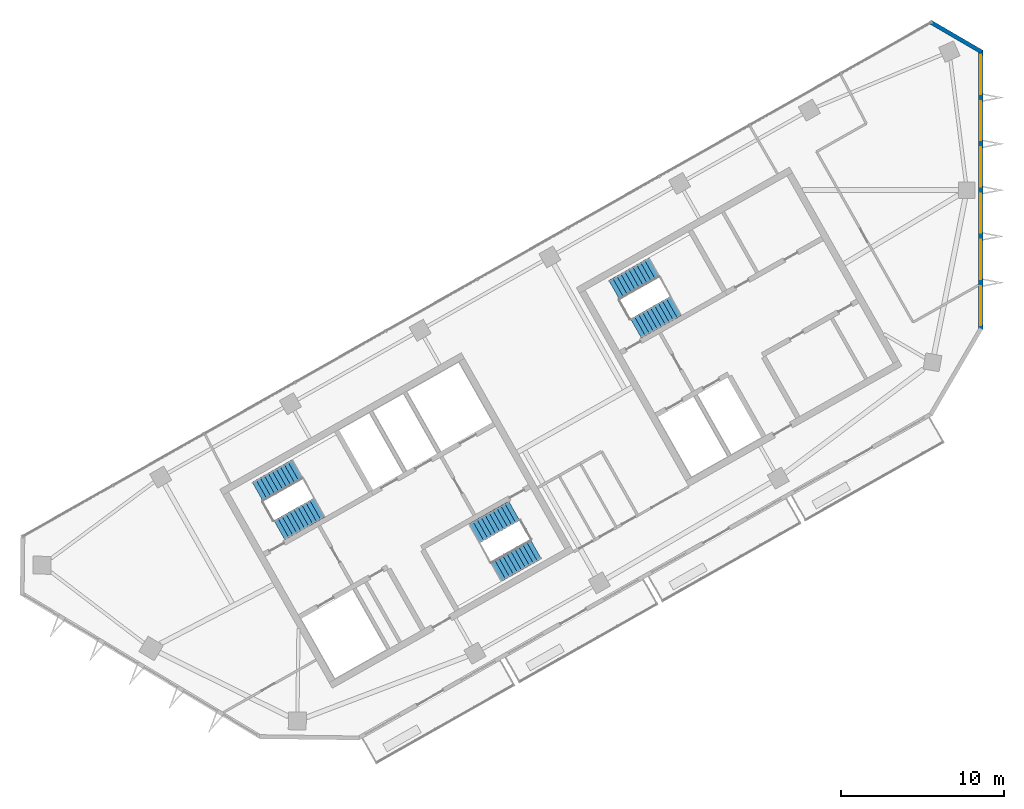
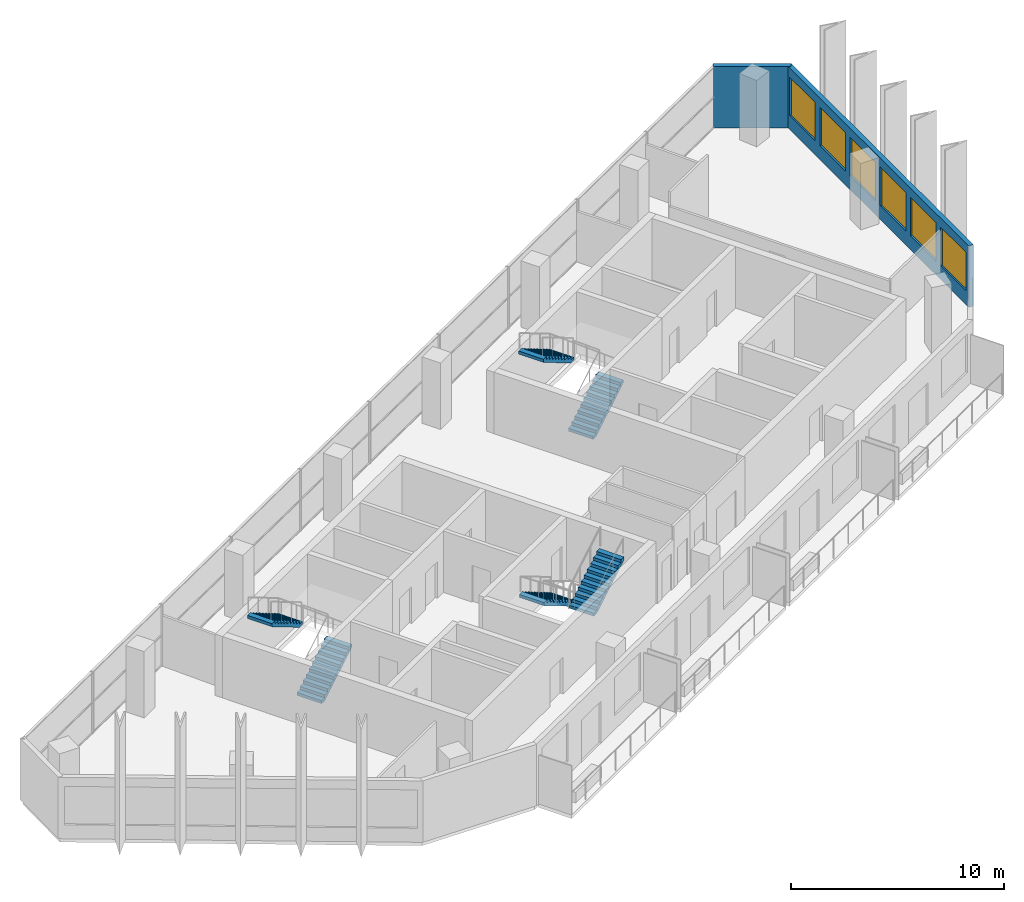
# One storey, part 8 of 10: 6 stair flights, 6 windows, 2 walls, 6 openings, 3 elements without a shape of their own.
"""IFC4 building model written with IfcOpenShell, lengths in metres."""

from ifc_helpers import new_model, si_unit, direction, frame, frame_2d, origin, place, context, subcontext, project, spatial, polyline, rectangle, outline, extrude, material, layer, layer_set, type_object, element, fill, aggregate, save


model = new_model("IFC4")

# Units and contexts
model_context = context("Model", 3, precision=1e-05, world=origin(), true_north=direction((0.0, 1.0)))
body_context = subcontext(model_context, "Body", "Model", "MODEL_VIEW")
ifc_project = project(units=[si_unit("LENGTHUNIT", "METRE"), si_unit("AREAUNIT", "SQUARE_METRE"), si_unit("VOLUMEUNIT", "CUBIC_METRE"), si_unit("PLANEANGLEUNIT", "RADIAN"), si_unit("MASSUNIT", "GRAM", prefix="KILO")], contexts=[model_context])

# Site, building, storey
site_placement = place(None, origin())
site = spatial("IfcSite", under=ifc_project, at=site_placement, CompositionType="ELEMENT")
building_placement = place(site_placement, origin())
building = spatial("IfcBuilding", under=site, at=building_placement, Name="Binnacle Exchange Tower", CompositionType="ELEMENT")
storey_placement = place(building_placement, frame((0.0, 0.0, 324.10009765625)))
storey = spatial("IfcBuildingStorey", under=building, at=storey_placement, Name="L73", CompositionType="ELEMENT", Elevation=324.10009765625)

# Wall, openings, windows
ifc_material_1 = material(Name="Bronze aluminium cladding", Category="aluminium")
ifc_layer = layer(ifc_material_1, 0.25)
ifc_layer_set = layer_set([ifc_layer], Name="External wall - window wall 250")
wall_type = type_object("IfcWallType", Name="External wall - window wall 250", PredefinedType="STANDARD", material=ifc_layer_set)
wall_1_placement = place(storey_placement, frame((0.0, 68.57177734375, 0.0), z_axis=(0.0, 0.0, 1.0), x_axis=(0.0, -1.0, 0.0)))
wall_1 = element("IfcWall", 1, at=wall_1_placement, inside=storey, type_object=wall_type, Name="External wall EW-H01 L73", PredefinedType="STANDARD", context=body_context, shape_type="SweptSolid", body=[
    extrude(rectangle(XDim=17.10546875, YDim=0.25, at=frame_2d((8.552734375, 0.0))), origin(), (0.0, 0.0, 1.0), 3.52001953125),
])
opening_1_placement = place(wall_1_placement, frame((14.455078125, 0.0, 0.800048828125)))
opening_1 = element("IfcOpeningElement", 2, at=opening_1_placement, cuts=wall_1, Name="Opening WR2", PredefinedType="OPENING", context=body_context, shape_type="SweptSolid", body=[
    extrude(rectangle(XDim=2.39990234375, YDim=2.199951171875, at=frame_2d((1.199951171875, 1.10009765625))), frame((0.0, 0.135009765625, 0.0), z_axis=(0.0, -1.0, 0.0), x_axis=(1.0, 0.0, 0.0)), (0.0, 0.0, 1.0), 0.27001953125),
])
opening_2_placement = place(wall_1_placement, frame((11.621826171875, 0.0, 0.800048828125)))
opening_2 = element("IfcOpeningElement", 3, at=opening_2_placement, cuts=wall_1, Name="Opening WR2", PredefinedType="OPENING", context=body_context, shape_type="SweptSolid", body=[
    extrude(rectangle(XDim=2.39990234375, YDim=2.199951171875, at=frame_2d((1.199951171875, 1.10009765625))), frame((0.0, 0.135009765625, 0.0), z_axis=(0.0, -1.0, 0.0), x_axis=(1.0, 0.0, 0.0)), (0.0, 0.0, 1.0), 0.27001953125),
])
opening_3_placement = place(wall_1_placement, frame((8.78857421875, 0.0, 0.800048828125)))
opening_3 = element("IfcOpeningElement", 4, at=opening_3_placement, cuts=wall_1, Name="Opening WR2", PredefinedType="OPENING", context=body_context, shape_type="SweptSolid", body=[
    extrude(rectangle(XDim=2.39990234375, YDim=2.199951171875, at=frame_2d((1.199951171875, 1.10009765625))), frame((0.0, 0.135009765625, 0.0), z_axis=(0.0, -1.0, 0.0), x_axis=(1.0, 0.0, 0.0)), (0.0, 0.0, 1.0), 0.27001953125),
])
opening_4_placement = place(wall_1_placement, frame((5.955078125, 0.0, 0.800048828125)))
opening_4 = element("IfcOpeningElement", 5, at=opening_4_placement, cuts=wall_1, Name="Opening WR2", PredefinedType="OPENING", context=body_context, shape_type="SweptSolid", body=[
    extrude(rectangle(XDim=2.39990234375, YDim=2.199951171875, at=frame_2d((1.199951171875, 1.10009765625))), frame((0.0, 0.135009765625, 0.0), z_axis=(0.0, -1.0, 0.0), x_axis=(1.0, 0.0, 0.0)), (0.0, 0.0, 1.0), 0.27001953125),
])
opening_5_placement = place(wall_1_placement, frame((3.121826171875, 0.0, 0.800048828125)))
opening_5 = element("IfcOpeningElement", 6, at=opening_5_placement, cuts=wall_1, Name="Opening WR2", PredefinedType="OPENING", context=body_context, shape_type="SweptSolid", body=[
    extrude(rectangle(XDim=2.39990234375, YDim=2.199951171875, at=frame_2d((1.199951171875, 1.10009765625))), frame((0.0, 0.135009765625, 0.0), z_axis=(0.0, -1.0, 0.0), x_axis=(1.0, 0.0, 0.0)), (0.0, 0.0, 1.0), 0.27001953125),
])
opening_6_placement = place(wall_1_placement, frame((0.28857421875, 0.0, 0.800048828125)))
opening_6 = element("IfcOpeningElement", 7, at=opening_6_placement, cuts=wall_1, Name="Opening WR2", PredefinedType="OPENING", context=body_context, shape_type="SweptSolid", body=[
    extrude(rectangle(XDim=2.39990234375, YDim=2.199951171875, at=frame_2d((1.199951171875, 1.10009765625))), frame((0.0, 0.135009765625, 0.0), z_axis=(0.0, -1.0, 0.0), x_axis=(1.0, 0.0, 0.0)), (0.0, 0.0, 1.0), 0.27001953125),
])
ifc_material_2 = material(Name="Bronze anodised aluminium frame", Category="aluminium")
window_type = type_object("IfcWindowType", Name="WR2 WINDOW 2400x2200", PartitioningType="SINGLE_PANEL", PredefinedType="WINDOW", material=ifc_material_2)
window_1_placement = place(opening_1_placement, origin())
window_1 = element("IfcWindow", 8, at=window_1_placement, inside=storey, type_object=window_type, Name="Window WR2 L73", OverallHeight=2.199951171875, OverallWidth=2.39990234375, PartitioningType="SINGLE_PANEL", PredefinedType="WINDOW", context=body_context, shape_type="SweptSolid", body=[
    extrude(rectangle(XDim=2.39990234375, YDim=2.199951171875, at=frame_2d((1.199951171875, 1.10009765625))), frame((0.0, 0.030029296875, 0.0), z_axis=(0.0, -1.0, 0.0), x_axis=(1.0, 0.0, 0.0)), (0.0, 0.0, 1.0), 0.06005859375),
])
fill(opening_1, window_1)
window_2_placement = place(opening_2_placement, origin())
window_2 = element("IfcWindow", 9, at=window_2_placement, inside=storey, type_object=window_type, Name="Window WR2 L73", OverallHeight=2.199951171875, OverallWidth=2.39990234375, PartitioningType="SINGLE_PANEL", PredefinedType="WINDOW", context=body_context, shape_type="SweptSolid", body=[
    extrude(rectangle(XDim=2.39990234375, YDim=2.199951171875, at=frame_2d((1.199951171875, 1.10009765625))), frame((0.0, 0.030029296875, 0.0), z_axis=(0.0, -1.0, 0.0), x_axis=(1.0, 0.0, 0.0)), (0.0, 0.0, 1.0), 0.06005859375),
])
fill(opening_2, window_2)
window_3_placement = place(opening_3_placement, origin())
window_3 = element("IfcWindow", 10, at=window_3_placement, inside=storey, type_object=window_type, Name="Window WR2 L73", OverallHeight=2.199951171875, OverallWidth=2.39990234375, PartitioningType="SINGLE_PANEL", PredefinedType="WINDOW", context=body_context, shape_type="SweptSolid", body=[
    extrude(rectangle(XDim=2.39990234375, YDim=2.199951171875, at=frame_2d((1.199951171875, 1.10009765625))), frame((0.0, 0.030029296875, 0.0), z_axis=(0.0, -1.0, 0.0), x_axis=(1.0, 0.0, 0.0)), (0.0, 0.0, 1.0), 0.06005859375),
])
fill(opening_3, window_3)
window_4_placement = place(opening_4_placement, origin())
window_4 = element("IfcWindow", 11, at=window_4_placement, inside=storey, type_object=window_type, Name="Window WR2 L73", OverallHeight=2.199951171875, OverallWidth=2.39990234375, PartitioningType="SINGLE_PANEL", PredefinedType="WINDOW", context=body_context, shape_type="SweptSolid", body=[
    extrude(rectangle(XDim=2.39990234375, YDim=2.199951171875, at=frame_2d((1.199951171875, 1.10009765625))), frame((0.0, 0.030029296875, 0.0), z_axis=(0.0, -1.0, 0.0), x_axis=(1.0, 0.0, 0.0)), (0.0, 0.0, 1.0), 0.06005859375),
])
fill(opening_4, window_4)
window_5_placement = place(opening_5_placement, origin())
window_5 = element("IfcWindow", 12, at=window_5_placement, inside=storey, type_object=window_type, Name="Window WR2 L73", OverallHeight=2.199951171875, OverallWidth=2.39990234375, PartitioningType="SINGLE_PANEL", PredefinedType="WINDOW", context=body_context, shape_type="SweptSolid", body=[
    extrude(rectangle(XDim=2.39990234375, YDim=2.199951171875, at=frame_2d((1.199951171875, 1.10009765625))), frame((0.0, 0.030029296875, 0.0), z_axis=(0.0, -1.0, 0.0), x_axis=(1.0, 0.0, 0.0)), (0.0, 0.0, 1.0), 0.06005859375),
])
fill(opening_5, window_5)
window_6_placement = place(opening_6_placement, origin())
window_6 = element("IfcWindow", 13, at=window_6_placement, inside=storey, type_object=window_type, Name="Window WR2 L73", OverallHeight=2.199951171875, OverallWidth=2.39990234375, PartitioningType="SINGLE_PANEL", PredefinedType="WINDOW", context=body_context, shape_type="SweptSolid", body=[
    extrude(rectangle(XDim=2.39990234375, YDim=2.199951171875, at=frame_2d((1.199951171875, 1.10009765625))), frame((0.0, 0.030029296875, 0.0), z_axis=(0.0, -1.0, 0.0), x_axis=(1.0, 0.0, 0.0)), (0.0, 0.0, 1.0), 0.06005859375),
])
fill(opening_6, window_6)

# Wall
wall_2_placement = place(storey_placement, frame((-3.108154296875, 70.312744140625, 0.0), z_axis=(0.0, 0.0, 1.0), x_axis=(0.86382474085, -0.503792434536, 0.0)))
element("IfcWall", 14, at=wall_2_placement, inside=storey, type_object=wall_type, Name="External wall EW-H02 L73", PredefinedType="STANDARD", context=body_context, shape_type="SweptSolid", body=[
    extrude(rectangle(XDim=3.669921875, YDim=0.25, at=frame_2d((1.8349609375, 0.0))), origin(), (0.0, 0.0, 1.0), 3.52001953125),
])

# Stair, stair flights
ifc_material_3 = material(Name="Concrete C35/45", Category="concrete")
stair_type = type_object("IfcStairType", Name="STAIR 22 RISERS 173", PredefinedType="HALF_TURN_STAIR", material=ifc_material_3)
stair_1_placement = place(storey_placement, origin())
stair_1 = element("IfcStair", 15, at=stair_1_placement, inside=storey, type_object=stair_type, Name="L73 Escape stair A1", PredefinedType="HALF_TURN_STAIR")
stair_flight_type = type_object("IfcStairFlightType", Name="STAIR FLIGHT 173X280", PredefinedType="STRAIGHT", material=ifc_material_3)
stair_flight_1_placement = place(storey_placement, frame((-42.9541015625, 39.17333984375, 0.0), z_axis=(0.0, 0.0, 1.0), x_axis=(0.870355584213, 0.492423757581, 0.0)))
stair_flight_1 = element("IfcStairFlight", 16, at=stair_flight_1_placement, type_object=stair_flight_type, Name="STA1 flight 1", NumberOfRisers=11, NumberOfTreads=10, PredefinedType="STRAIGHT", RiserHeight=0.172727273, TreadLength=0.28, context=body_context, shape_type="SweptSolid", body=[
    extrude(outline(polyline([(0.0, 0.0), (0.0, 0.172607421875), (0.280029296875, 0.172607421875), (0.280029296875, 0.345458984375), (0.56005859375, 0.345458984375), (0.56005859375, 0.51806640625), (0.840087890625, 0.51806640625), (0.840087890625, 0.69091796875), (1.1201171875, 0.69091796875), (1.1201171875, 0.863525390625), (1.39990234375, 0.863525390625), (1.39990234375, 1.036376953125), (1.679931640625, 1.036376953125), (1.679931640625, 1.208984375), (1.9599609375, 1.208984375), (1.9599609375, 1.3818359375), (2.239990234375, 1.3818359375), (2.239990234375, 1.554443359375), (2.52001953125, 1.554443359375), (2.52001953125, 1.727294921875), (2.800048828125, 1.727294921875), (2.800048828125, 1.89990234375), (2.800048828125, 1.551025390625), (0.285400390625, 0.0), (0.0, 0.0)])), frame((0.0, 0.675048828125, 0.0), z_axis=(0.0, -1.0, 0.0), x_axis=(1.0, 0.0, 0.0)), (0.0, 0.0, 1.0), 1.35009765625),
])
stair_flight_2_placement = place(storey_placement, frame((-41.846435546875, 42.902099609375, 1.89990234375), z_axis=(0.0, 0.0, 1.0), x_axis=(-0.870355584213, -0.492423757581, 0.0)))
stair_flight_2 = element("IfcStairFlight", 17, at=stair_flight_2_placement, type_object=stair_flight_type, Name="STA1 flight 2", NumberOfRisers=11, NumberOfTreads=10, PredefinedType="STRAIGHT", RiserHeight=0.172727273, TreadLength=0.28, context=body_context, shape_type="SweptSolid", body=[
    extrude(outline(polyline([(0.0, 0.0), (0.0, 0.172607421875), (0.280029296875, 0.172607421875), (0.280029296875, 0.345458984375), (0.56005859375, 0.345458984375), (0.56005859375, 0.51806640625), (0.840087890625, 0.51806640625), (0.840087890625, 0.69091796875), (1.1201171875, 0.69091796875), (1.1201171875, 0.863525390625), (1.39990234375, 0.863525390625), (1.39990234375, 1.036376953125), (1.679931640625, 1.036376953125), (1.679931640625, 1.208984375), (1.9599609375, 1.208984375), (1.9599609375, 1.3818359375), (2.239990234375, 1.3818359375), (2.239990234375, 1.554443359375), (2.52001953125, 1.554443359375), (2.52001953125, 1.727294921875), (2.800048828125, 1.727294921875), (2.800048828125, 1.89990234375), (2.800048828125, 1.551025390625), (0.285400390625, 0.0), (0.0, 0.0)])), frame((0.0, 0.675048828125, 0.0), z_axis=(0.0, -1.0, 0.0), x_axis=(1.0, 0.0, 0.0)), (0.0, 0.0, 1.0), 1.35009765625),
])
aggregate(stair_1, [stair_flight_1, stair_flight_2])

stair_2_placement = place(storey_placement, origin())
stair_2 = element("IfcStair", 18, at=stair_2_placement, inside=storey, type_object=stair_type, Name="L73 Escape stair A2", PredefinedType="HALF_TURN_STAIR")
stair_flight_3_placement = place(storey_placement, frame((-28.5732421875, 40.3583984375, 0.0), z_axis=(0.0, 0.0, 1.0), x_axis=(-0.870355584213, -0.492423757581, 0.0)))
stair_flight_3 = element("IfcStairFlight", 19, at=stair_flight_3_placement, type_object=stair_flight_type, Name="STA2 flight 1", NumberOfRisers=11, NumberOfTreads=10, PredefinedType="STRAIGHT", RiserHeight=0.172727273, TreadLength=0.28, context=body_context, shape_type="SweptSolid", body=[
    extrude(outline(polyline([(0.0, 0.0), (0.0, 0.172607421875), (0.280029296875, 0.172607421875), (0.280029296875, 0.345458984375), (0.56005859375, 0.345458984375), (0.56005859375, 0.51806640625), (0.840087890625, 0.51806640625), (0.840087890625, 0.69091796875), (1.1201171875, 0.69091796875), (1.1201171875, 0.863525390625), (1.39990234375, 0.863525390625), (1.39990234375, 1.036376953125), (1.679931640625, 1.036376953125), (1.679931640625, 1.208984375), (1.9599609375, 1.208984375), (1.9599609375, 1.3818359375), (2.239990234375, 1.3818359375), (2.239990234375, 1.554443359375), (2.52001953125, 1.554443359375), (2.52001953125, 1.727294921875), (2.800048828125, 1.727294921875), (2.800048828125, 1.89990234375), (2.800048828125, 1.551025390625), (0.285400390625, 0.0), (0.0, 0.0)])), frame((0.0, 0.675048828125, 0.0), z_axis=(0.0, -1.0, 0.0), x_axis=(1.0, 0.0, 0.0)), (0.0, 0.0, 1.0), 1.35009765625),
])
stair_flight_4_placement = place(storey_placement, frame((-29.6806640625, 36.629638671875, 1.89990234375), z_axis=(0.0, 0.0, 1.0), x_axis=(0.870355584213, 0.492423757581, 0.0)))
stair_flight_4 = element("IfcStairFlight", 20, at=stair_flight_4_placement, type_object=stair_flight_type, Name="STA2 flight 2", NumberOfRisers=11, NumberOfTreads=10, PredefinedType="STRAIGHT", RiserHeight=0.172727273, TreadLength=0.28, context=body_context, shape_type="SweptSolid", body=[
    extrude(outline(polyline([(0.0, 0.0), (0.0, 0.172607421875), (0.280029296875, 0.172607421875), (0.280029296875, 0.345458984375), (0.56005859375, 0.345458984375), (0.56005859375, 0.51806640625), (0.840087890625, 0.51806640625), (0.840087890625, 0.69091796875), (1.1201171875, 0.69091796875), (1.1201171875, 0.863525390625), (1.39990234375, 0.863525390625), (1.39990234375, 1.036376953125), (1.679931640625, 1.036376953125), (1.679931640625, 1.208984375), (1.9599609375, 1.208984375), (1.9599609375, 1.3818359375), (2.239990234375, 1.3818359375), (2.239990234375, 1.554443359375), (2.52001953125, 1.554443359375), (2.52001953125, 1.727294921875), (2.800048828125, 1.727294921875), (2.800048828125, 1.89990234375), (2.800048828125, 1.551025390625), (0.285400390625, 0.0), (0.0, 0.0)])), frame((0.0, 0.675048828125, 0.0), z_axis=(0.0, -1.0, 0.0), x_axis=(1.0, 0.0, 0.0)), (0.0, 0.0, 1.0), 1.35009765625),
])
aggregate(stair_2, [stair_flight_3, stair_flight_4])

stair_3_placement = place(storey_placement, origin())
stair_3 = element("IfcStair", 21, at=stair_3_placement, inside=storey, type_object=stair_type, Name="L73 Escape stair C1", PredefinedType="HALF_TURN_STAIR")
stair_flight_5_placement = place(storey_placement, frame((-21.115966796875, 51.528564453125, 0.0), z_axis=(0.0, 0.0, 1.0), x_axis=(0.870355584213, 0.492423757581, 0.0)))
stair_flight_5 = element("IfcStairFlight", 22, at=stair_flight_5_placement, type_object=stair_flight_type, Name="STC1 flight 1", NumberOfRisers=11, NumberOfTreads=10, PredefinedType="STRAIGHT", RiserHeight=0.172727273, TreadLength=0.28, context=body_context, shape_type="SweptSolid", body=[
    extrude(outline(polyline([(0.0, 0.0), (0.0, 0.172607421875), (0.280029296875, 0.172607421875), (0.280029296875, 0.345458984375), (0.56005859375, 0.345458984375), (0.56005859375, 0.51806640625), (0.840087890625, 0.51806640625), (0.840087890625, 0.69091796875), (1.1201171875, 0.69091796875), (1.1201171875, 0.863525390625), (1.39990234375, 0.863525390625), (1.39990234375, 1.036376953125), (1.679931640625, 1.036376953125), (1.679931640625, 1.208984375), (1.9599609375, 1.208984375), (1.9599609375, 1.3818359375), (2.239990234375, 1.3818359375), (2.239990234375, 1.554443359375), (2.52001953125, 1.554443359375), (2.52001953125, 1.727294921875), (2.800048828125, 1.727294921875), (2.800048828125, 1.89990234375), (2.800048828125, 1.551025390625), (0.285400390625, 0.0), (0.0, 0.0)])), frame((0.0, 0.675048828125, 0.0), z_axis=(0.0, -1.0, 0.0), x_axis=(1.0, 0.0, 0.0)), (0.0, 0.0, 1.0), 1.35009765625),
])
stair_flight_6_placement = place(storey_placement, frame((-20.008544921875, 55.25732421875, 1.89990234375), z_axis=(0.0, 0.0, 1.0), x_axis=(-0.870355584213, -0.492423757581, 0.0)))
stair_flight_6 = element("IfcStairFlight", 23, at=stair_flight_6_placement, type_object=stair_flight_type, Name="STC1 flight 2", NumberOfRisers=11, NumberOfTreads=10, PredefinedType="STRAIGHT", RiserHeight=0.172727273, TreadLength=0.28, context=body_context, shape_type="SweptSolid", body=[
    extrude(outline(polyline([(0.0, 0.0), (0.0, 0.172607421875), (0.280029296875, 0.172607421875), (0.280029296875, 0.345458984375), (0.56005859375, 0.345458984375), (0.56005859375, 0.51806640625), (0.840087890625, 0.51806640625), (0.840087890625, 0.69091796875), (1.1201171875, 0.69091796875), (1.1201171875, 0.863525390625), (1.39990234375, 0.863525390625), (1.39990234375, 1.036376953125), (1.679931640625, 1.036376953125), (1.679931640625, 1.208984375), (1.9599609375, 1.208984375), (1.9599609375, 1.3818359375), (2.239990234375, 1.3818359375), (2.239990234375, 1.554443359375), (2.52001953125, 1.554443359375), (2.52001953125, 1.727294921875), (2.800048828125, 1.727294921875), (2.800048828125, 1.89990234375), (2.800048828125, 1.551025390625), (0.285400390625, 0.0), (0.0, 0.0)])), frame((0.0, 0.675048828125, 0.0), z_axis=(0.0, -1.0, 0.0), x_axis=(1.0, 0.0, 0.0)), (0.0, 0.0, 1.0), 1.35009765625),
])
aggregate(stair_3, [stair_flight_5, stair_flight_6])

save(model, "model.ifc")
